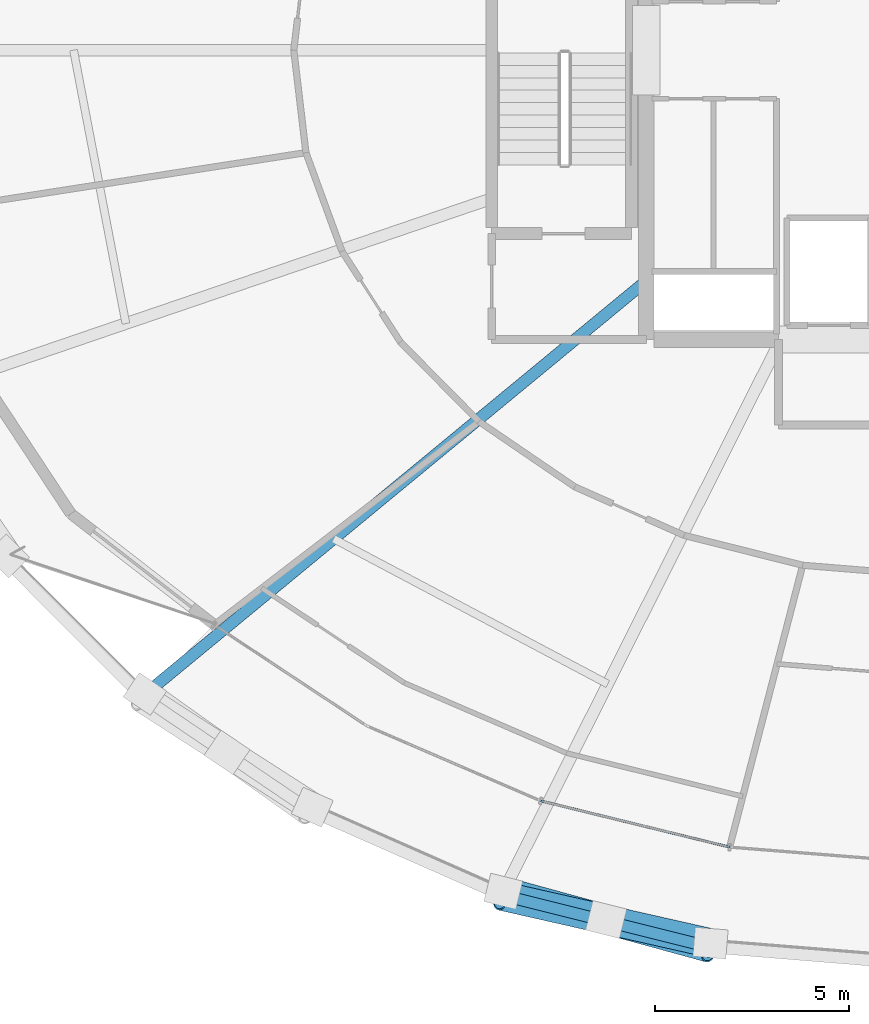
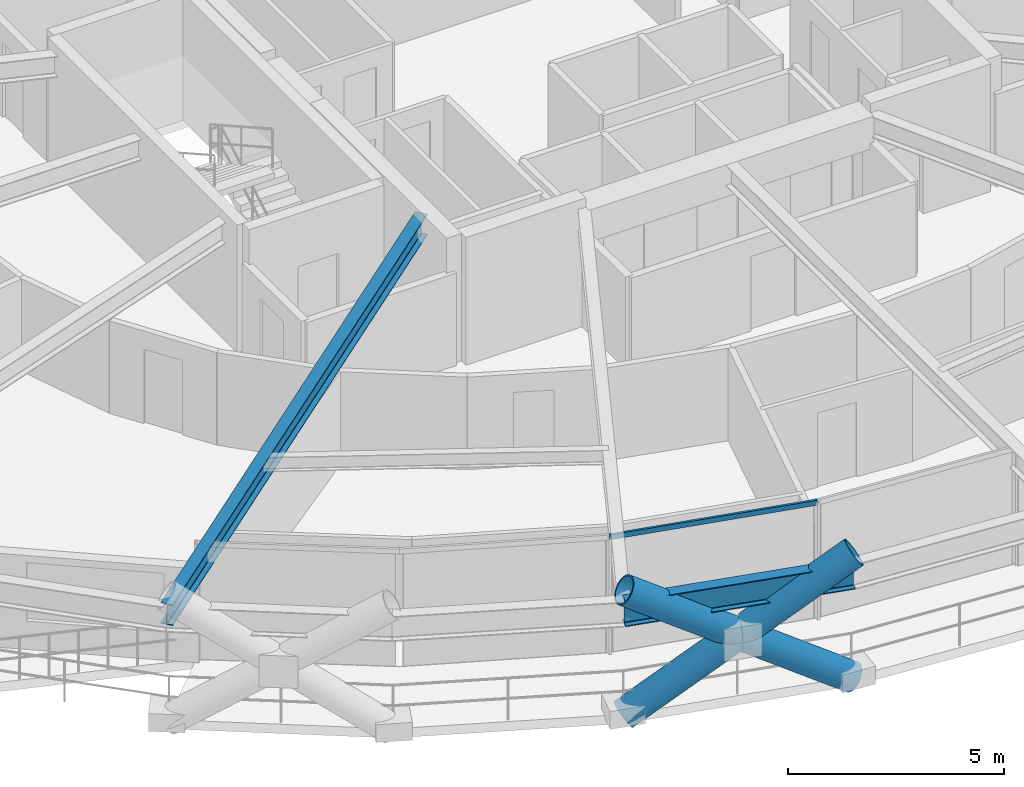
# One storey, part 3 of 19: 4 members, 2 beams, 1 element without a shape of its own.
"""IFC4 building model written with IfcOpenShell, lengths in metres."""

from ifc_helpers import new_model, si_unit, direction, frame, origin, origin_2d, place, context, subcontext, project, spatial, hollow_rectangle, hollow_circle, i_section, extrude, material, layer, layer_set, material_profile, profile_set, type_object, element, aggregate, save


model = new_model("IFC4")

# Units and contexts
model_context = context("Model", 3, precision=1e-05, world=origin(), true_north=direction((0.0, 1.0)))
body_context = subcontext(model_context, "Body", "Model", "MODEL_VIEW")
ifc_project = project(units=[si_unit("LENGTHUNIT", "METRE"), si_unit("AREAUNIT", "SQUARE_METRE"), si_unit("VOLUMEUNIT", "CUBIC_METRE"), si_unit("PLANEANGLEUNIT", "RADIAN"), si_unit("MASSUNIT", "GRAM", prefix="KILO")], contexts=[model_context])

# Site, building, storey
site_placement = place(None, origin())
site = spatial("IfcSite", under=ifc_project, at=site_placement, CompositionType="ELEMENT")
building_placement = place(site_placement, origin())
building = spatial("IfcBuilding", under=site, at=building_placement, Name="Veldorina Hangang Commons", CompositionType="ELEMENT")
storey_placement = place(building_placement, frame((0.0, 0.0, 52.0)))
storey = spatial("IfcBuildingStorey", under=building, at=storey_placement, Name="L12", CompositionType="ELEMENT", Elevation=52.0)

# Beams
ifc_material_1 = material(Name="Steel SM460-TMC", Category="steel")
ifc_material_profile_1 = material_profile(ifc_material_1, i_section(OverallWidth=0.300048828125, OverallDepth=0.587890625, WebThickness=0.011962890625, FlangeThickness=0.02001953125, FilletRadius=0.01806640625, at=origin_2d()), Name="H-588x300x12x20")
ifc_profile_set_1 = profile_set([ifc_material_profile_1], Name="Steel SM460-TMC")
beam_type_1 = type_object("IfcBeamType", Name="BM-FG588", PredefinedType="BEAM", material=ifc_profile_set_1)
beam_1_placement = place(storey_placement, frame((24.800048828125, 18.061279296875, 3.0458984375), z_axis=(-0.771448772905, -0.636291435416, 0.0), x_axis=(0.636291435416, -0.771448772905, 0.0)))
element("IfcBeam", 1, at=beam_1_placement, inside=storey, type_object=beam_type_1, Name="L12 radial floor girder 11", PredefinedType="BEAM", context=body_context, shape_type="SweptSolid", body=[
    extrude(i_section(OverallWidth=0.300048828125, OverallDepth=0.587890625, WebThickness=0.011962890625, FlangeThickness=0.02001953125, FilletRadius=0.01806640625, at=origin_2d()), origin(), (0.0, 0.0, 1.0), 16.826171875),
])
ifc_material_profile_2 = material_profile(ifc_material_1, i_section(OverallWidth=0.300048828125, OverallDepth=0.699951171875, WebThickness=0.012939453125, FlangeThickness=0.02392578125, FilletRadius=0.02197265625, at=origin_2d()), Name="H-700x300x13x24")
ifc_profile_set_2 = profile_set([ifc_material_profile_2], Name="Steel SM460-TMC")
beam_type_2 = type_object("IfcBeamType", Name="BM-RB700", PredefinedType="BEAM", material=ifc_profile_set_2)
beam_2_placement = place(storey_placement, frame((21.078369140625, 2.25244140625, 2.989990234375), z_axis=(0.970095643929, -0.242722973016, 0.0), x_axis=(0.242722973016, 0.970095643929, 0.0)))
element("IfcBeam", 2, at=beam_2_placement, inside=storey, type_object=beam_type_2, Name="L12 perimeter hoop ring beam 22", PredefinedType="BEAM", context=body_context, shape_type="SweptSolid", body=[
    extrude(i_section(OverallWidth=0.300048828125, OverallDepth=0.699951171875, WebThickness=0.012939453125, FlangeThickness=0.02392578125, FilletRadius=0.02197265625, at=origin_2d()), origin(), (0.0, 0.0, 1.0), 5.51904296875),
])

# Curtain wall, member
ifc_material_2 = material(Name="Glass Low-E Triple IGU", Category="glass")
ifc_layer = layer(ifc_material_2, 0.179931640625)
ifc_layer_set = layer_set([ifc_layer], Name="Glass Low-E Triple IGU")
curtain_wall_type = type_object("IfcCurtainWallType", Name="CW-SYS-Z1", PredefinedType="NOTDEFINED", material=ifc_layer_set)
curtain_wall_placement = place(storey_placement, origin())
curtain_wall = element("IfcCurtainWall", 3, at=curtain_wall_placement, inside=storey, type_object=curtain_wall_type, Name="L12 unitised curtain wall CW-L12-R1", PredefinedType="NOTDEFINED")
ifc_material_3 = material(Name="Aluminium Anodized AA6063-T6", Category="aluminium")
ifc_material_profile_3 = material_profile(ifc_material_3, hollow_rectangle(XDim=0.06005859375, YDim=0.139892578125, WallThickness=0.00341796875, at=origin_2d()), Name="ALU-RHS-140x60x3.5")
ifc_profile_set_3 = profile_set([ifc_material_profile_3], Name="Aluminium Anodized AA6063-T6")
member_type_1 = type_object("IfcMemberType", Name="CW-TRN-140", PredefinedType="USERDEFINED", material=ifc_profile_set_3)
member_1_placement = place(storey_placement, frame((22.082763671875, 4.677001953125, 3.260009765625), z_axis=(0.971313179836, -0.237803924854, 0.0), x_axis=(0.237803924854, 0.971313179836, 0.0)))
member_1 = element("IfcMember", 4, at=member_1_placement, type_object=member_type_1, Name="CW-L12-R1 facet 3 transom 1", ObjectType="TRANSOM", PredefinedType="USERDEFINED", context=body_context, shape_type="SweptSolid", body=[
    extrude(hollow_rectangle(XDim=0.06005859375, YDim=0.139892578125, WallThickness=0.00341796875, at=origin_2d()), origin(), (0.0, 0.0, 1.0), 5.0048828125),
])
aggregate(curtain_wall, [member_1])

# Members
ifc_material_profile_4 = material_profile(ifc_material_1, hollow_circle(Radius=0.375, WallThickness=0.035888671875, at=origin_2d()), Name="CHS-750x36")
ifc_profile_set_4 = profile_set([ifc_material_profile_4], Name="Steel SM460-TMC")
member_type_2 = type_object("IfcMemberType", Name="DG-CHS750", PredefinedType="BRACE", material=ifc_profile_set_4)
member_2_placement = place(storey_placement, frame((21.118408203125, 2.3486328125, 0.0), z_axis=(0.807136659496, -0.221417018142, 0.54727042399), x_axis=(0.264550418055, 0.964371855825, 0.0)))
element("IfcMember", 5, at=member_2_placement, inside=storey, type_object=member_type_2, Name="L12 continuous perimeter diagrid brace 22", PredefinedType="BRACE", context=body_context, shape_type="SweptSolid", body=[
    extrude(hollow_circle(Radius=0.375, WallThickness=0.035888671875, at=origin_2d()), origin(), (0.0, 0.0, 1.0), 6.578369140625),
])
member_3_placement = place(storey_placement, frame((26.45263671875, 1.01513671875, 0.0), z_axis=(-0.816942542894, 0.184645800676, 0.546361427905), x_axis=(-0.220459563723, -0.975396114798, 0.0)))
element("IfcMember", 6, at=member_3_placement, inside=storey, type_object=member_type_2, Name="L12 split perimeter diagrid lower brace 23", PredefinedType="BRACE", context=body_context, shape_type="SweptSolid", body=[
    extrude(hollow_circle(Radius=0.375, WallThickness=0.035888671875, at=origin_2d()), origin(), (0.0, 0.0, 1.0), 3.287109375),
])
member_4_placement = place(storey_placement, frame((23.767333984375, 1.6220703125, 1.7958984375), z_axis=(-0.816822386595, 0.184999512199, 0.546421420923), x_axis=(-0.220892203116, -0.975298228545, 0.0)))
element("IfcMember", 7, at=member_4_placement, inside=storey, type_object=member_type_2, Name="L12 split perimeter diagrid upper brace 23", PredefinedType="BRACE", context=body_context, shape_type="SweptSolid", body=[
    extrude(hollow_circle(Radius=0.375, WallThickness=0.035888671875, at=origin_2d()), origin(), (0.0, 0.0, 1.0), 3.3017578125),
])

save(model, "model.ifc")
